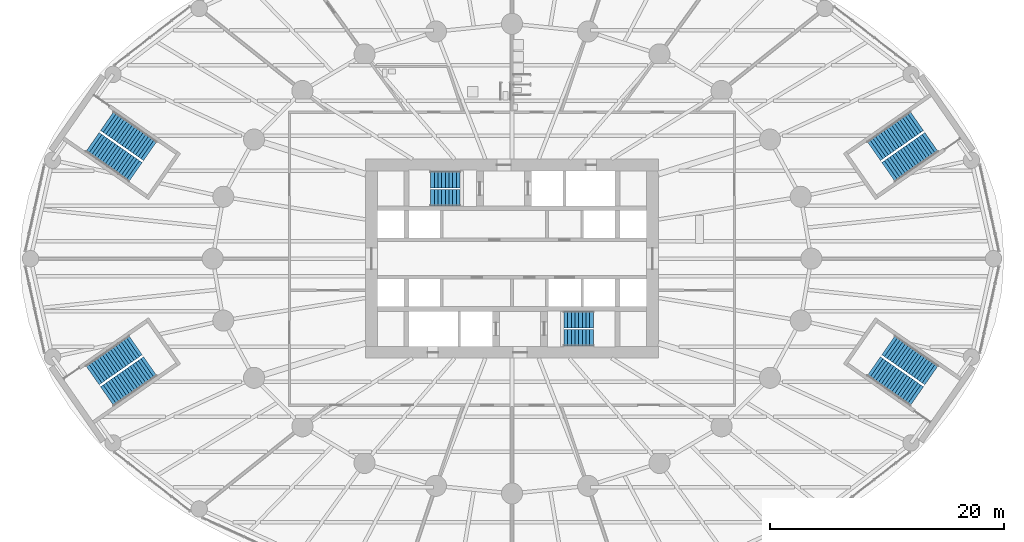
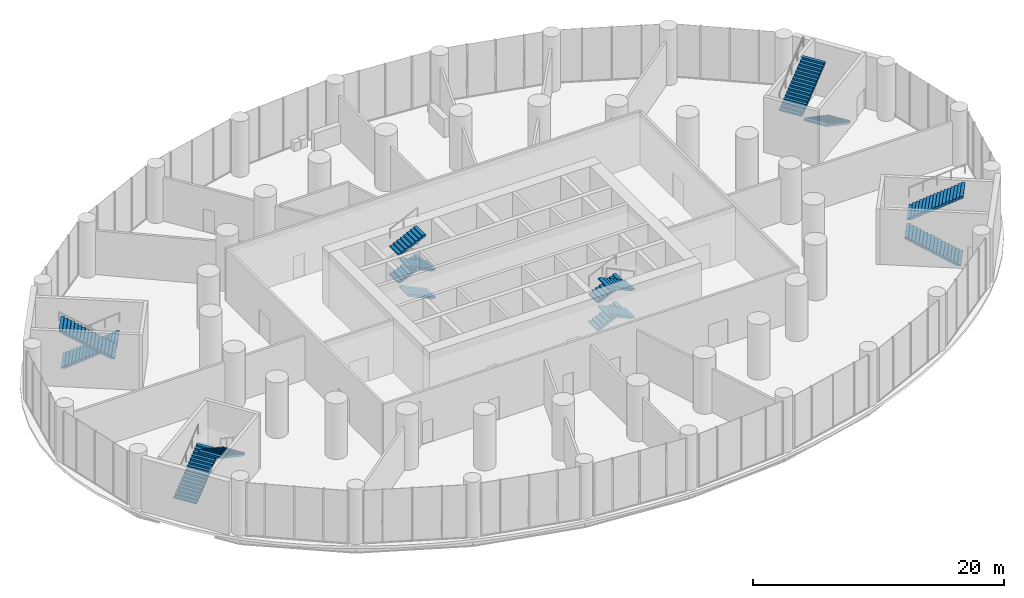
# One storey, part 19 of 23: 16 stair flights, 6 elements without a shape of their own.
"""IFC4 building model written with IfcOpenShell, lengths in metres."""

from ifc_helpers import new_model, si_unit, direction, frame, origin, place, context, subcontext, project, spatial, polyline, outline, extrude, material, type_object, element, aggregate, save


model = new_model("IFC4")

# Units and contexts
model_context = context("Model", 3, precision=1e-05, world=origin(), true_north=direction((0.0, 1.0)))
body_context = subcontext(model_context, "Body", "Model", "MODEL_VIEW")
ifc_project = project(units=[si_unit("LENGTHUNIT", "METRE"), si_unit("AREAUNIT", "SQUARE_METRE"), si_unit("VOLUMEUNIT", "CUBIC_METRE"), si_unit("PLANEANGLEUNIT", "RADIAN"), si_unit("MASSUNIT", "GRAM", prefix="KILO")], contexts=[model_context])

# Site, building, storey
site_placement = place(None, origin())
site = spatial("IfcSite", under=ifc_project, at=site_placement, CompositionType="ELEMENT")
building_placement = place(site_placement, origin())
building = spatial("IfcBuilding", under=site, at=building_placement, Name="Hankou Lantern Tower", CompositionType="ELEMENT")
storey_placement = place(building_placement, frame((0.0, 0.0, 19.199951171875)))
storey = spatial("IfcBuildingStorey", under=building, at=storey_placement, Name="L03", CompositionType="ELEMENT", Elevation=19.199951171875)

# Stair, stair flights
ifc_material_1 = material(Name="Concrete C40", Category="concrete")
stair_type_1 = type_object("IfcStairType", Name="ST54 CORE STAIR 5400 RISE", PredefinedType="HALF_TURN_STAIR", material=ifc_material_1)
stair_1_placement = place(storey_placement, origin())
stair_1 = element("IfcStair", 1, at=stair_1_placement, inside=storey, type_object=stair_type_1, Name="Stair STA L03", PredefinedType="HALF_TURN_STAIR")
ifc_material_2 = material(Name="Concrete C40", Category="concrete")
stair_flight_type_1 = type_object("IfcStairFlightType", Name="CF9 CORE STAIR FLIGHT 1400 X 9 RISERS", PredefinedType="STRAIGHT", material=ifc_material_2)
stair_flight_1_placement = place(storey_placement, frame((-4.429931640625, 5.199951171875, 0.0), z_axis=(0.0, 0.0, 1.0), x_axis=(-1.0, 0.0, 0.0)))
stair_flight_1 = element("IfcStairFlight", 2, at=stair_flight_1_placement, type_object=stair_flight_type_1, Name="STA flight 1", NumberOfRisers=9, NumberOfTreads=8, PredefinedType="STRAIGHT", RiserHeight=0.15, TreadLength=0.315, context=body_context, shape_type="SweptSolid", body=[
    extrude(outline(polyline([(0.0, 0.0), (0.0, 0.14990234375), (0.31494140625, 0.14990234375), (0.31494140625, 0.300048828125), (0.6298828125, 0.300048828125), (0.6298828125, 0.449951171875), (0.945068359375, 0.449951171875), (0.945068359375, 0.60009765625), (1.260009765625, 0.60009765625), (1.260009765625, 0.75), (1.574951171875, 0.75), (1.574951171875, 0.89990234375), (1.889892578125, 0.89990234375), (1.889892578125, 1.050048828125), (2.205078125, 1.050048828125), (2.205078125, 1.199951171875), (2.52001953125, 1.199951171875), (2.52001953125, 1.35009765625), (2.52001953125, 1.033935546875), (0.3486328125, 0.0), (0.0, 0.0)])), frame((0.0, 0.699951171875, 0.0), z_axis=(0.0, -1.0, 0.0), x_axis=(1.0, 0.0, 0.0)), (0.0, 0.0, 1.0), 1.39990234375),
])
stair_flight_2_placement = place(storey_placement, frame((-6.949951171875, 6.75, 1.35009765625), z_axis=(0.0, 0.0, 1.0), x_axis=(1.0, 0.0, 0.0)))
stair_flight_2 = element("IfcStairFlight", 3, at=stair_flight_2_placement, type_object=stair_flight_type_1, Name="STA flight 2", NumberOfRisers=9, NumberOfTreads=8, PredefinedType="STRAIGHT", RiserHeight=0.15, TreadLength=0.315, context=body_context, shape_type="SweptSolid", body=[
    extrude(outline(polyline([(0.0, 0.0), (0.0, 0.14990234375), (0.31494140625, 0.14990234375), (0.31494140625, 0.300048828125), (0.6298828125, 0.300048828125), (0.6298828125, 0.449951171875), (0.945068359375, 0.449951171875), (0.945068359375, 0.60009765625), (1.260009765625, 0.60009765625), (1.260009765625, 0.75), (1.574951171875, 0.75), (1.574951171875, 0.89990234375), (1.889892578125, 0.89990234375), (1.889892578125, 1.050048828125), (2.205078125, 1.050048828125), (2.205078125, 1.199951171875), (2.52001953125, 1.199951171875), (2.52001953125, 1.35009765625), (2.52001953125, 1.033935546875), (0.3486328125, 0.0), (0.0, 0.0)])), frame((0.0, 0.699951171875, 0.0), z_axis=(0.0, -1.0, 0.0), x_axis=(1.0, 0.0, 0.0)), (0.0, 0.0, 1.0), 1.39990234375),
])
stair_flight_3_placement = place(storey_placement, frame((-4.429931640625, 5.199951171875, 2.699951171875), z_axis=(0.0, 0.0, 1.0), x_axis=(-1.0, 0.0, 0.0)))
stair_flight_3 = element("IfcStairFlight", 4, at=stair_flight_3_placement, type_object=stair_flight_type_1, Name="STA flight 3", NumberOfRisers=9, NumberOfTreads=8, PredefinedType="STRAIGHT", RiserHeight=0.15, TreadLength=0.315, context=body_context, shape_type="SweptSolid", body=[
    extrude(outline(polyline([(0.0, 0.0), (0.0, 0.14990234375), (0.31494140625, 0.14990234375), (0.31494140625, 0.300048828125), (0.6298828125, 0.300048828125), (0.6298828125, 0.449951171875), (0.945068359375, 0.449951171875), (0.945068359375, 0.60009765625), (1.260009765625, 0.60009765625), (1.260009765625, 0.75), (1.574951171875, 0.75), (1.574951171875, 0.89990234375), (1.889892578125, 0.89990234375), (1.889892578125, 1.050048828125), (2.205078125, 1.050048828125), (2.205078125, 1.199951171875), (2.52001953125, 1.199951171875), (2.52001953125, 1.35009765625), (2.52001953125, 1.033935546875), (0.3486328125, 0.0), (0.0, 0.0)])), frame((0.0, 0.699951171875, 0.0), z_axis=(0.0, -1.0, 0.0), x_axis=(1.0, 0.0, 0.0)), (0.0, 0.0, 1.0), 1.39990234375),
])
stair_flight_4_placement = place(storey_placement, frame((-6.949951171875, 6.75, 4.050048828125), z_axis=(0.0, 0.0, 1.0), x_axis=(1.0, 0.0, 0.0)))
stair_flight_4 = element("IfcStairFlight", 5, at=stair_flight_4_placement, type_object=stair_flight_type_1, Name="STA flight 4", NumberOfRisers=9, NumberOfTreads=8, PredefinedType="STRAIGHT", RiserHeight=0.15, TreadLength=0.315, context=body_context, shape_type="SweptSolid", body=[
    extrude(outline(polyline([(0.0, 0.0), (0.0, 0.14990234375), (0.31494140625, 0.14990234375), (0.31494140625, 0.300048828125), (0.6298828125, 0.300048828125), (0.6298828125, 0.449951171875), (0.945068359375, 0.449951171875), (0.945068359375, 0.60009765625), (1.260009765625, 0.60009765625), (1.260009765625, 0.75), (1.574951171875, 0.75), (1.574951171875, 0.89990234375), (1.889892578125, 0.89990234375), (1.889892578125, 1.050048828125), (2.205078125, 1.050048828125), (2.205078125, 1.199951171875), (2.52001953125, 1.199951171875), (2.52001953125, 1.35009765625), (2.52001953125, 1.033935546875), (0.3486328125, 0.0), (0.0, 0.0)])), frame((0.0, 0.699951171875, 0.0), z_axis=(0.0, -1.0, 0.0), x_axis=(1.0, 0.0, 0.0)), (0.0, 0.0, 1.0), 1.39990234375),
])
aggregate(stair_1, [stair_flight_1, stair_flight_2, stair_flight_3, stair_flight_4])

stair_2_placement = place(storey_placement, origin())
stair_2 = element("IfcStair", 6, at=stair_2_placement, inside=storey, type_object=stair_type_1, Name="Stair STB L03", PredefinedType="HALF_TURN_STAIR")
stair_flight_5_placement = place(storey_placement, frame((4.429931640625, -5.199951171875, 0.0), z_axis=(0.0, 0.0, 1.0), x_axis=(1.0, 0.0, 0.0)))
stair_flight_5 = element("IfcStairFlight", 7, at=stair_flight_5_placement, type_object=stair_flight_type_1, Name="STB flight 1", NumberOfRisers=9, NumberOfTreads=8, PredefinedType="STRAIGHT", RiserHeight=0.15, TreadLength=0.315, context=body_context, shape_type="SweptSolid", body=[
    extrude(outline(polyline([(0.0, 0.0), (0.0, 0.14990234375), (0.31494140625, 0.14990234375), (0.31494140625, 0.300048828125), (0.6298828125, 0.300048828125), (0.6298828125, 0.449951171875), (0.945068359375, 0.449951171875), (0.945068359375, 0.60009765625), (1.260009765625, 0.60009765625), (1.260009765625, 0.75), (1.574951171875, 0.75), (1.574951171875, 0.89990234375), (1.889892578125, 0.89990234375), (1.889892578125, 1.050048828125), (2.205078125, 1.050048828125), (2.205078125, 1.199951171875), (2.52001953125, 1.199951171875), (2.52001953125, 1.35009765625), (2.52001953125, 1.033935546875), (0.3486328125, 0.0), (0.0, 0.0)])), frame((0.0, 0.699951171875, 0.0), z_axis=(0.0, -1.0, 0.0), x_axis=(1.0, 0.0, 0.0)), (0.0, 0.0, 1.0), 1.39990234375),
])
stair_flight_6_placement = place(storey_placement, frame((6.949951171875, -6.75, 1.35009765625), z_axis=(0.0, 0.0, 1.0), x_axis=(-1.0, 0.0, 0.0)))
stair_flight_6 = element("IfcStairFlight", 8, at=stair_flight_6_placement, type_object=stair_flight_type_1, Name="STB flight 2", NumberOfRisers=9, NumberOfTreads=8, PredefinedType="STRAIGHT", RiserHeight=0.15, TreadLength=0.315, context=body_context, shape_type="SweptSolid", body=[
    extrude(outline(polyline([(0.0, 0.0), (0.0, 0.14990234375), (0.31494140625, 0.14990234375), (0.31494140625, 0.300048828125), (0.6298828125, 0.300048828125), (0.6298828125, 0.449951171875), (0.945068359375, 0.449951171875), (0.945068359375, 0.60009765625), (1.260009765625, 0.60009765625), (1.260009765625, 0.75), (1.574951171875, 0.75), (1.574951171875, 0.89990234375), (1.889892578125, 0.89990234375), (1.889892578125, 1.050048828125), (2.205078125, 1.050048828125), (2.205078125, 1.199951171875), (2.52001953125, 1.199951171875), (2.52001953125, 1.35009765625), (2.52001953125, 1.033935546875), (0.3486328125, 0.0), (0.0, 0.0)])), frame((0.0, 0.699951171875, 0.0), z_axis=(0.0, -1.0, 0.0), x_axis=(1.0, 0.0, 0.0)), (0.0, 0.0, 1.0), 1.39990234375),
])
stair_flight_7_placement = place(storey_placement, frame((4.429931640625, -5.199951171875, 2.699951171875), z_axis=(0.0, 0.0, 1.0), x_axis=(1.0, 0.0, 0.0)))
stair_flight_7 = element("IfcStairFlight", 9, at=stair_flight_7_placement, type_object=stair_flight_type_1, Name="STB flight 3", NumberOfRisers=9, NumberOfTreads=8, PredefinedType="STRAIGHT", RiserHeight=0.15, TreadLength=0.315, context=body_context, shape_type="SweptSolid", body=[
    extrude(outline(polyline([(0.0, 0.0), (0.0, 0.14990234375), (0.31494140625, 0.14990234375), (0.31494140625, 0.300048828125), (0.6298828125, 0.300048828125), (0.6298828125, 0.449951171875), (0.945068359375, 0.449951171875), (0.945068359375, 0.60009765625), (1.260009765625, 0.60009765625), (1.260009765625, 0.75), (1.574951171875, 0.75), (1.574951171875, 0.89990234375), (1.889892578125, 0.89990234375), (1.889892578125, 1.050048828125), (2.205078125, 1.050048828125), (2.205078125, 1.199951171875), (2.52001953125, 1.199951171875), (2.52001953125, 1.35009765625), (2.52001953125, 1.033935546875), (0.3486328125, 0.0), (0.0, 0.0)])), frame((0.0, 0.699951171875, 0.0), z_axis=(0.0, -1.0, 0.0), x_axis=(1.0, 0.0, 0.0)), (0.0, 0.0, 1.0), 1.39990234375),
])
stair_flight_8_placement = place(storey_placement, frame((6.949951171875, -6.75, 4.050048828125), z_axis=(0.0, 0.0, 1.0), x_axis=(-1.0, 0.0, 0.0)))
stair_flight_8 = element("IfcStairFlight", 10, at=stair_flight_8_placement, type_object=stair_flight_type_1, Name="STB flight 4", NumberOfRisers=9, NumberOfTreads=8, PredefinedType="STRAIGHT", RiserHeight=0.15, TreadLength=0.315, context=body_context, shape_type="SweptSolid", body=[
    extrude(outline(polyline([(0.0, 0.0), (0.0, 0.14990234375), (0.31494140625, 0.14990234375), (0.31494140625, 0.300048828125), (0.6298828125, 0.300048828125), (0.6298828125, 0.449951171875), (0.945068359375, 0.449951171875), (0.945068359375, 0.60009765625), (1.260009765625, 0.60009765625), (1.260009765625, 0.75), (1.574951171875, 0.75), (1.574951171875, 0.89990234375), (1.889892578125, 0.89990234375), (1.889892578125, 1.050048828125), (2.205078125, 1.050048828125), (2.205078125, 1.199951171875), (2.52001953125, 1.199951171875), (2.52001953125, 1.35009765625), (2.52001953125, 1.033935546875), (0.3486328125, 0.0), (0.0, 0.0)])), frame((0.0, 0.699951171875, 0.0), z_axis=(0.0, -1.0, 0.0), x_axis=(1.0, 0.0, 0.0)), (0.0, 0.0, 1.0), 1.39990234375),
])
aggregate(stair_2, [stair_flight_5, stair_flight_6, stair_flight_7, stair_flight_8])

ifc_material_3 = material(Name="Concrete C40", Category="concrete")
stair_type_2 = type_object("IfcStairType", Name="PS54 PODIUM STAIR 5400 RISE", PredefinedType="HALF_TURN_STAIR", material=ifc_material_3)
stair_3_placement = place(storey_placement, origin())
stair_3 = element("IfcStair", 11, at=stair_3_placement, inside=storey, type_object=stair_type_2, Name="Stair P1 L03", PredefinedType="HALF_TURN_STAIR")
ifc_material_4 = material(Name="Concrete C40", Category="concrete")
stair_flight_type_2 = type_object("IfcStairFlightType", Name="PF17 PODIUM STAIR FLIGHT 2000 X 17 RISERS", PredefinedType="STRAIGHT", material=ifc_material_4)
stair_flight_9_placement = place(storey_placement, frame((35.811767578125, 9.944580078125, 0.0), z_axis=(0.0, 0.0, 1.0), x_axis=(-0.820927362045, -0.571032631507, 0.0)))
stair_flight_9 = element("IfcStairFlight", 12, at=stair_flight_9_placement, type_object=stair_flight_type_2, Name="P1 flight 1", NumberOfRisers=17, NumberOfTreads=16, PredefinedType="STRAIGHT", RiserHeight=0.158823529, TreadLength=0.28, context=body_context, shape_type="SweptSolid", body=[
    extrude(outline(polyline([(0.0, 0.0), (0.0, 0.158935546875), (0.280029296875, 0.158935546875), (0.280029296875, 0.317626953125), (0.56005859375, 0.317626953125), (0.56005859375, 0.4765625), (0.840087890625, 0.4765625), (0.840087890625, 0.63525390625), (1.1201171875, 0.63525390625), (1.1201171875, 0.794189453125), (1.39990234375, 0.794189453125), (1.39990234375, 0.952880859375), (1.679931640625, 0.952880859375), (1.679931640625, 1.11181640625), (1.9599609375, 1.11181640625), (1.9599609375, 1.2705078125), (2.239990234375, 1.2705078125), (2.239990234375, 1.429443359375), (2.52001953125, 1.429443359375), (2.52001953125, 1.588134765625), (2.800048828125, 1.588134765625), (2.800048828125, 1.7470703125), (3.080078125, 1.7470703125), (3.080078125, 1.90576171875), (3.360107421875, 1.90576171875), (3.360107421875, 2.064697265625), (3.639892578125, 2.064697265625), (3.639892578125, 2.2236328125), (3.919921875, 2.2236328125), (3.919921875, 2.38232421875), (4.199951171875, 2.38232421875), (4.199951171875, 2.541259765625), (4.47998046875, 2.541259765625), (4.47998046875, 2.699951171875), (4.47998046875, 2.368896484375), (0.3037109375, 0.0), (0.0, 0.0)])), frame((0.0, 1.0, 0.0), z_axis=(0.0, -1.0, 0.0), x_axis=(1.0, 0.0, 0.0)), (0.0, 0.0, 1.0), 2.0),
])
stair_flight_10_placement = place(storey_placement, frame((30.8779296875, 9.1923828125, 2.699951171875), z_axis=(0.0, 0.0, 1.0), x_axis=(0.820927362045, 0.571032631507, 0.0)))
stair_flight_10 = element("IfcStairFlight", 13, at=stair_flight_10_placement, type_object=stair_flight_type_2, Name="P1 flight 2", NumberOfRisers=17, NumberOfTreads=16, PredefinedType="STRAIGHT", RiserHeight=0.158823529, TreadLength=0.28, context=body_context, shape_type="SweptSolid", body=[
    extrude(outline(polyline([(0.0, 0.0), (0.0, 0.158935546875), (0.280029296875, 0.158935546875), (0.280029296875, 0.317626953125), (0.56005859375, 0.317626953125), (0.56005859375, 0.4765625), (0.840087890625, 0.4765625), (0.840087890625, 0.63525390625), (1.1201171875, 0.63525390625), (1.1201171875, 0.794189453125), (1.39990234375, 0.794189453125), (1.39990234375, 0.952880859375), (1.679931640625, 0.952880859375), (1.679931640625, 1.11181640625), (1.9599609375, 1.11181640625), (1.9599609375, 1.2705078125), (2.239990234375, 1.2705078125), (2.239990234375, 1.429443359375), (2.52001953125, 1.429443359375), (2.52001953125, 1.588134765625), (2.800048828125, 1.588134765625), (2.800048828125, 1.7470703125), (3.080078125, 1.7470703125), (3.080078125, 1.90576171875), (3.360107421875, 1.90576171875), (3.360107421875, 2.064697265625), (3.639892578125, 2.064697265625), (3.639892578125, 2.2236328125), (3.919921875, 2.2236328125), (3.919921875, 2.38232421875), (4.199951171875, 2.38232421875), (4.199951171875, 2.541259765625), (4.47998046875, 2.541259765625), (4.47998046875, 2.699951171875), (4.47998046875, 2.368896484375), (0.3037109375, 0.0), (0.0, 0.0)])), frame((0.0, 1.0, 0.0), z_axis=(0.0, -1.0, 0.0), x_axis=(1.0, 0.0, 0.0)), (0.0, 0.0, 1.0), 2.0),
])
aggregate(stair_3, [stair_flight_9, stair_flight_10])

stair_4_placement = place(storey_placement, origin())
stair_4 = element("IfcStair", 14, at=stair_4_placement, inside=storey, type_object=stair_type_2, Name="Stair P2 L03", PredefinedType="HALF_TURN_STAIR")
stair_flight_11_placement = place(storey_placement, frame((-34.5556640625, 11.75048828125, 0.0), z_axis=(0.0, 0.0, 1.0), x_axis=(0.820927362045, -0.571032631507, 0.0)))
stair_flight_11 = element("IfcStairFlight", 15, at=stair_flight_11_placement, type_object=stair_flight_type_2, Name="P2 flight 1", NumberOfRisers=17, NumberOfTreads=16, PredefinedType="STRAIGHT", RiserHeight=0.158823529, TreadLength=0.28, context=body_context, shape_type="SweptSolid", body=[
    extrude(outline(polyline([(0.0, 0.0), (0.0, 0.158935546875), (0.280029296875, 0.158935546875), (0.280029296875, 0.317626953125), (0.56005859375, 0.317626953125), (0.56005859375, 0.4765625), (0.840087890625, 0.4765625), (0.840087890625, 0.63525390625), (1.1201171875, 0.63525390625), (1.1201171875, 0.794189453125), (1.39990234375, 0.794189453125), (1.39990234375, 0.952880859375), (1.679931640625, 0.952880859375), (1.679931640625, 1.11181640625), (1.9599609375, 1.11181640625), (1.9599609375, 1.2705078125), (2.239990234375, 1.2705078125), (2.239990234375, 1.429443359375), (2.52001953125, 1.429443359375), (2.52001953125, 1.588134765625), (2.800048828125, 1.588134765625), (2.800048828125, 1.7470703125), (3.080078125, 1.7470703125), (3.080078125, 1.90576171875), (3.360107421875, 1.90576171875), (3.360107421875, 2.064697265625), (3.639892578125, 2.064697265625), (3.639892578125, 2.2236328125), (3.919921875, 2.2236328125), (3.919921875, 2.38232421875), (4.199951171875, 2.38232421875), (4.199951171875, 2.541259765625), (4.47998046875, 2.541259765625), (4.47998046875, 2.699951171875), (4.47998046875, 2.368896484375), (0.3037109375, 0.0), (0.0, 0.0)])), frame((0.0, 1.0, 0.0), z_axis=(0.0, -1.0, 0.0), x_axis=(1.0, 0.0, 0.0)), (0.0, 0.0, 1.0), 2.0),
])
stair_flight_12_placement = place(storey_placement, frame((-32.134033203125, 7.38623046875, 2.699951171875), z_axis=(0.0, 0.0, 1.0), x_axis=(-0.820927362045, 0.571032631507, 0.0)))
stair_flight_12 = element("IfcStairFlight", 16, at=stair_flight_12_placement, type_object=stair_flight_type_2, Name="P2 flight 2", NumberOfRisers=17, NumberOfTreads=16, PredefinedType="STRAIGHT", RiserHeight=0.158823529, TreadLength=0.28, context=body_context, shape_type="SweptSolid", body=[
    extrude(outline(polyline([(0.0, 0.0), (0.0, 0.158935546875), (0.280029296875, 0.158935546875), (0.280029296875, 0.317626953125), (0.56005859375, 0.317626953125), (0.56005859375, 0.4765625), (0.840087890625, 0.4765625), (0.840087890625, 0.63525390625), (1.1201171875, 0.63525390625), (1.1201171875, 0.794189453125), (1.39990234375, 0.794189453125), (1.39990234375, 0.952880859375), (1.679931640625, 0.952880859375), (1.679931640625, 1.11181640625), (1.9599609375, 1.11181640625), (1.9599609375, 1.2705078125), (2.239990234375, 1.2705078125), (2.239990234375, 1.429443359375), (2.52001953125, 1.429443359375), (2.52001953125, 1.588134765625), (2.800048828125, 1.588134765625), (2.800048828125, 1.7470703125), (3.080078125, 1.7470703125), (3.080078125, 1.90576171875), (3.360107421875, 1.90576171875), (3.360107421875, 2.064697265625), (3.639892578125, 2.064697265625), (3.639892578125, 2.2236328125), (3.919921875, 2.2236328125), (3.919921875, 2.38232421875), (4.199951171875, 2.38232421875), (4.199951171875, 2.541259765625), (4.47998046875, 2.541259765625), (4.47998046875, 2.699951171875), (4.47998046875, 2.368896484375), (0.3037109375, 0.0), (0.0, 0.0)])), frame((0.0, 1.0, 0.0), z_axis=(0.0, -1.0, 0.0), x_axis=(1.0, 0.0, 0.0)), (0.0, 0.0, 1.0), 2.0),
])
aggregate(stair_4, [stair_flight_11, stair_flight_12])

stair_5_placement = place(storey_placement, origin())
stair_5 = element("IfcStair", 17, at=stair_5_placement, inside=storey, type_object=stair_type_2, Name="Stair P3 L03", PredefinedType="HALF_TURN_STAIR")
stair_flight_13_placement = place(storey_placement, frame((-35.811767578125, -9.944580078125, 0.0), z_axis=(0.0, 0.0, 1.0), x_axis=(0.820927362045, 0.571032631507, 0.0)))
stair_flight_13 = element("IfcStairFlight", 18, at=stair_flight_13_placement, type_object=stair_flight_type_2, Name="P3 flight 1", NumberOfRisers=17, NumberOfTreads=16, PredefinedType="STRAIGHT", RiserHeight=0.158823529, TreadLength=0.28, context=body_context, shape_type="SweptSolid", body=[
    extrude(outline(polyline([(0.0, 0.0), (0.0, 0.158935546875), (0.280029296875, 0.158935546875), (0.280029296875, 0.317626953125), (0.56005859375, 0.317626953125), (0.56005859375, 0.4765625), (0.840087890625, 0.4765625), (0.840087890625, 0.63525390625), (1.1201171875, 0.63525390625), (1.1201171875, 0.794189453125), (1.39990234375, 0.794189453125), (1.39990234375, 0.952880859375), (1.679931640625, 0.952880859375), (1.679931640625, 1.11181640625), (1.9599609375, 1.11181640625), (1.9599609375, 1.2705078125), (2.239990234375, 1.2705078125), (2.239990234375, 1.429443359375), (2.52001953125, 1.429443359375), (2.52001953125, 1.588134765625), (2.800048828125, 1.588134765625), (2.800048828125, 1.7470703125), (3.080078125, 1.7470703125), (3.080078125, 1.90576171875), (3.360107421875, 1.90576171875), (3.360107421875, 2.064697265625), (3.639892578125, 2.064697265625), (3.639892578125, 2.2236328125), (3.919921875, 2.2236328125), (3.919921875, 2.38232421875), (4.199951171875, 2.38232421875), (4.199951171875, 2.541259765625), (4.47998046875, 2.541259765625), (4.47998046875, 2.699951171875), (4.47998046875, 2.368896484375), (0.3037109375, 0.0), (0.0, 0.0)])), frame((0.0, 1.0, 0.0), z_axis=(0.0, -1.0, 0.0), x_axis=(1.0, 0.0, 0.0)), (0.0, 0.0, 1.0), 2.0),
])
stair_flight_14_placement = place(storey_placement, frame((-30.8779296875, -9.1923828125, 2.699951171875), z_axis=(0.0, 0.0, 1.0), x_axis=(-0.820927362045, -0.571032631507, 0.0)))
stair_flight_14 = element("IfcStairFlight", 19, at=stair_flight_14_placement, type_object=stair_flight_type_2, Name="P3 flight 2", NumberOfRisers=17, NumberOfTreads=16, PredefinedType="STRAIGHT", RiserHeight=0.158823529, TreadLength=0.28, context=body_context, shape_type="SweptSolid", body=[
    extrude(outline(polyline([(0.0, 0.0), (0.0, 0.158935546875), (0.280029296875, 0.158935546875), (0.280029296875, 0.317626953125), (0.56005859375, 0.317626953125), (0.56005859375, 0.4765625), (0.840087890625, 0.4765625), (0.840087890625, 0.63525390625), (1.1201171875, 0.63525390625), (1.1201171875, 0.794189453125), (1.39990234375, 0.794189453125), (1.39990234375, 0.952880859375), (1.679931640625, 0.952880859375), (1.679931640625, 1.11181640625), (1.9599609375, 1.11181640625), (1.9599609375, 1.2705078125), (2.239990234375, 1.2705078125), (2.239990234375, 1.429443359375), (2.52001953125, 1.429443359375), (2.52001953125, 1.588134765625), (2.800048828125, 1.588134765625), (2.800048828125, 1.7470703125), (3.080078125, 1.7470703125), (3.080078125, 1.90576171875), (3.360107421875, 1.90576171875), (3.360107421875, 2.064697265625), (3.639892578125, 2.064697265625), (3.639892578125, 2.2236328125), (3.919921875, 2.2236328125), (3.919921875, 2.38232421875), (4.199951171875, 2.38232421875), (4.199951171875, 2.541259765625), (4.47998046875, 2.541259765625), (4.47998046875, 2.699951171875), (4.47998046875, 2.368896484375), (0.3037109375, 0.0), (0.0, 0.0)])), frame((0.0, 1.0, 0.0), z_axis=(0.0, -1.0, 0.0), x_axis=(1.0, 0.0, 0.0)), (0.0, 0.0, 1.0), 2.0),
])
aggregate(stair_5, [stair_flight_13, stair_flight_14])

stair_6_placement = place(storey_placement, origin())
stair_6 = element("IfcStair", 20, at=stair_6_placement, inside=storey, type_object=stair_type_2, Name="Stair P4 L03", PredefinedType="HALF_TURN_STAIR")
stair_flight_15_placement = place(storey_placement, frame((34.5556640625, -11.75048828125, 0.0), z_axis=(0.0, 0.0, 1.0), x_axis=(-0.820927362045, 0.571032631507, 0.0)))
stair_flight_15 = element("IfcStairFlight", 21, at=stair_flight_15_placement, type_object=stair_flight_type_2, Name="P4 flight 1", NumberOfRisers=17, NumberOfTreads=16, PredefinedType="STRAIGHT", RiserHeight=0.158823529, TreadLength=0.28, context=body_context, shape_type="SweptSolid", body=[
    extrude(outline(polyline([(0.0, 0.0), (0.0, 0.158935546875), (0.280029296875, 0.158935546875), (0.280029296875, 0.317626953125), (0.56005859375, 0.317626953125), (0.56005859375, 0.4765625), (0.840087890625, 0.4765625), (0.840087890625, 0.63525390625), (1.1201171875, 0.63525390625), (1.1201171875, 0.794189453125), (1.39990234375, 0.794189453125), (1.39990234375, 0.952880859375), (1.679931640625, 0.952880859375), (1.679931640625, 1.11181640625), (1.9599609375, 1.11181640625), (1.9599609375, 1.2705078125), (2.239990234375, 1.2705078125), (2.239990234375, 1.429443359375), (2.52001953125, 1.429443359375), (2.52001953125, 1.588134765625), (2.800048828125, 1.588134765625), (2.800048828125, 1.7470703125), (3.080078125, 1.7470703125), (3.080078125, 1.90576171875), (3.360107421875, 1.90576171875), (3.360107421875, 2.064697265625), (3.639892578125, 2.064697265625), (3.639892578125, 2.2236328125), (3.919921875, 2.2236328125), (3.919921875, 2.38232421875), (4.199951171875, 2.38232421875), (4.199951171875, 2.541259765625), (4.47998046875, 2.541259765625), (4.47998046875, 2.699951171875), (4.47998046875, 2.368896484375), (0.3037109375, 0.0), (0.0, 0.0)])), frame((0.0, 1.0, 0.0), z_axis=(0.0, -1.0, 0.0), x_axis=(1.0, 0.0, 0.0)), (0.0, 0.0, 1.0), 2.0),
])
stair_flight_16_placement = place(storey_placement, frame((32.134033203125, -7.38623046875, 2.699951171875), z_axis=(0.0, 0.0, 1.0), x_axis=(0.820927362045, -0.571032631507, 0.0)))
stair_flight_16 = element("IfcStairFlight", 22, at=stair_flight_16_placement, type_object=stair_flight_type_2, Name="P4 flight 2", NumberOfRisers=17, NumberOfTreads=16, PredefinedType="STRAIGHT", RiserHeight=0.158823529, TreadLength=0.28, context=body_context, shape_type="SweptSolid", body=[
    extrude(outline(polyline([(0.0, 0.0), (0.0, 0.158935546875), (0.280029296875, 0.158935546875), (0.280029296875, 0.317626953125), (0.56005859375, 0.317626953125), (0.56005859375, 0.4765625), (0.840087890625, 0.4765625), (0.840087890625, 0.63525390625), (1.1201171875, 0.63525390625), (1.1201171875, 0.794189453125), (1.39990234375, 0.794189453125), (1.39990234375, 0.952880859375), (1.679931640625, 0.952880859375), (1.679931640625, 1.11181640625), (1.9599609375, 1.11181640625), (1.9599609375, 1.2705078125), (2.239990234375, 1.2705078125), (2.239990234375, 1.429443359375), (2.52001953125, 1.429443359375), (2.52001953125, 1.588134765625), (2.800048828125, 1.588134765625), (2.800048828125, 1.7470703125), (3.080078125, 1.7470703125), (3.080078125, 1.90576171875), (3.360107421875, 1.90576171875), (3.360107421875, 2.064697265625), (3.639892578125, 2.064697265625), (3.639892578125, 2.2236328125), (3.919921875, 2.2236328125), (3.919921875, 2.38232421875), (4.199951171875, 2.38232421875), (4.199951171875, 2.541259765625), (4.47998046875, 2.541259765625), (4.47998046875, 2.699951171875), (4.47998046875, 2.368896484375), (0.3037109375, 0.0), (0.0, 0.0)])), frame((0.0, 1.0, 0.0), z_axis=(0.0, -1.0, 0.0), x_axis=(1.0, 0.0, 0.0)), (0.0, 0.0, 1.0), 2.0),
])
aggregate(stair_6, [stair_flight_15, stair_flight_16])

save(model, "model.ifc")
